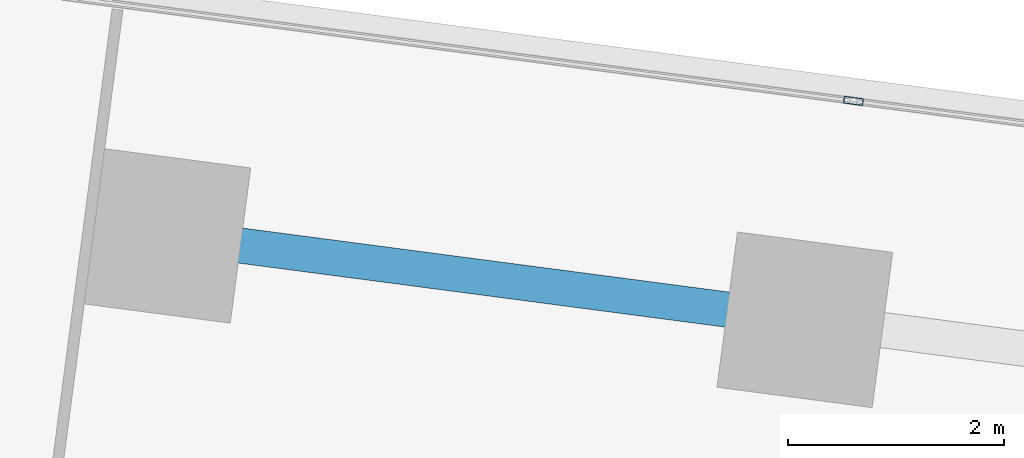
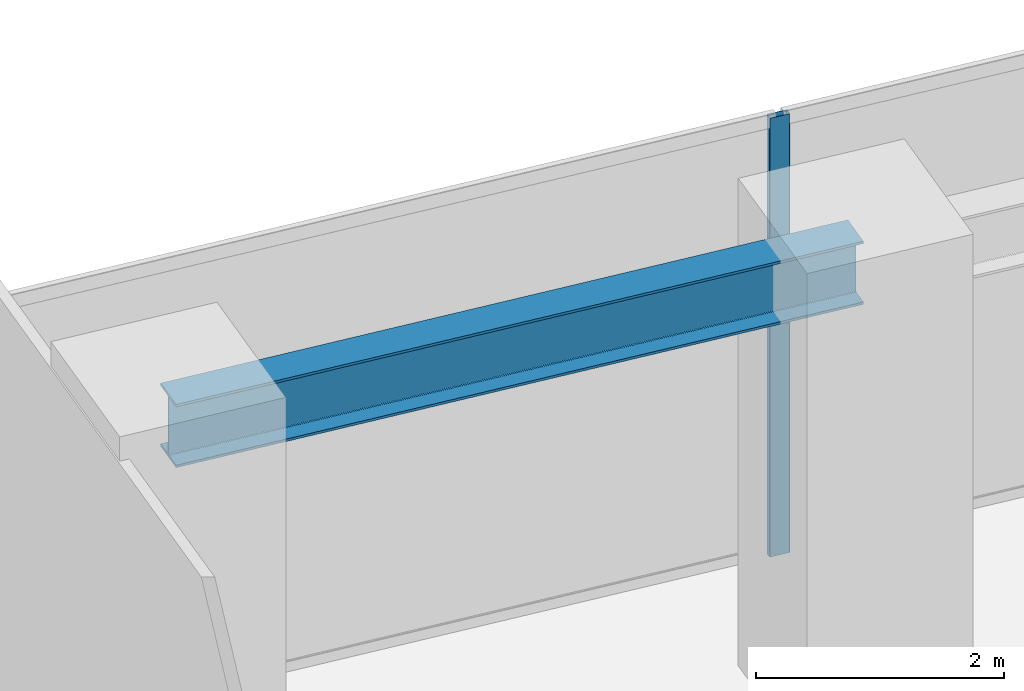
# One storey, part 12 of 24: 1 beam, 1 member, 1 element without a shape of its own.
"""IFC4 building model written with IfcOpenShell, lengths in metres."""

from ifc_helpers import new_model, si_unit, direction, frame, origin, origin_2d, place, context, subcontext, project, spatial, hollow_rectangle, i_section, extrude, source, transform, mapped, material, material_profile, profile_set, type_object, element, aggregate, save


model = new_model("IFC4")

# Units and contexts
model_context = context("Model", 3, precision=1e-05, world=origin(), true_north=direction((0.0, 1.0)))
body_context = subcontext(model_context, "Body", "Model", "MODEL_VIEW")
ifc_project = project(units=[si_unit("LENGTHUNIT", "METRE"), si_unit("AREAUNIT", "SQUARE_METRE"), si_unit("VOLUMEUNIT", "CUBIC_METRE"), si_unit("PLANEANGLEUNIT", "RADIAN"), si_unit("MASSUNIT", "GRAM", prefix="KILO")], contexts=[model_context])

# Site, building, storey
site_placement = place(None, origin())
site = spatial("IfcSite", under=ifc_project, at=site_placement, CompositionType="ELEMENT")
building_placement = place(site_placement, origin())
building = spatial("IfcBuilding", under=site, at=building_placement, Name="Torre Montelarca", CompositionType="ELEMENT")
storey_placement = place(building_placement, frame((0.0, 0.0, 61.60009765625)))
storey = spatial("IfcBuildingStorey", under=building, at=storey_placement, Name="L13", CompositionType="ELEMENT", Elevation=61.60009765625)

# Beam
ifc_material_1 = material(Name="Steel ASTM A992 Grade 50", Category="steel")
ifc_material_profile_1 = material_profile(ifc_material_1, i_section(OverallWidth=0.326904296875, OverallDepth=0.6220703125, WebThickness=0.015380859375, FlangeThickness=0.0244140625, FilletRadius=0.014892578125, at=origin_2d()), Name="W610X195", Category="steel")
ifc_profile_set_1 = profile_set([ifc_material_profile_1], Name="Steel ASTM A992 Grade 50")
beam_type = type_object("IfcBeamType", Name="BM-G-W610H", PredefinedType="BEAM", material=ifc_profile_set_1)
shared_shape_1 = source(origin(), body_context, "Body", "SweptSolid", [
    extrude(i_section(OverallWidth=0.326904296875, OverallDepth=0.6220703125, WebThickness=0.015380859375, FlangeThickness=0.0244140625, FilletRadius=0.014892578125, at=origin_2d()), origin(), (0.0, 0.0, 1.0), 5.999755859375),
])
beam_placement = place(storey_placement, frame((43.652099609375, 43.204345703125, 4.2490234375), z_axis=(0.991448616074, -0.130497669269, 0.0), x_axis=(0.130497669269, 0.991448616074, 0.0)))
element("IfcBeam", 1, at=beam_placement, inside=storey, type_object=beam_type, Name="L13 Grid Girder X 42.0-48.0 at Y=46.0", PredefinedType="BEAM", context=body_context, shape_type="MappedRepresentation", body=[
    mapped(shared_shape_1, transform((0.0, 0.0, 0.0), scale=1.0)),
])

# Curtain wall, member
ifc_material_2 = material(Name="Insulated low-E laminated glass", Category="glass")
curtain_wall_type = type_object("IfcCurtainWallType", Name="CW-SYS-Z1", PredefinedType="USERDEFINED", material=ifc_material_2)
curtain_wall_placement = place(storey_placement, origin())
curtain_wall = element("IfcCurtainWall", 2, at=curtain_wall_placement, inside=storey, type_object=curtain_wall_type, Name="L13 Curtain Wall Run CW-T3-L13-E08-B1", ObjectType="UNITISED GLAZING", PredefinedType="USERDEFINED")
ifc_material_3 = material(Name="Anodised aluminium AA 6063-T6", Category="aluminium")
ifc_material_profile_2 = material_profile(ifc_material_3, hollow_rectangle(XDim=0.06494140625, YDim=0.179931640625, WallThickness=0.00390625, InnerFilletRadius=0.00390625, OuterFilletRadius=0.008056640625, at=origin_2d()), Name="ALU65X180X4", Category="aluminium")
ifc_profile_set_2 = profile_set([ifc_material_profile_2], Name="Anodised aluminium AA 6063-T6")
member_type = type_object("IfcMemberType", Name="CWM-ALU180", PredefinedType="MULLION", material=ifc_profile_set_2)
shared_shape_2 = source(origin(), body_context, "Body", "SweptSolid", [
    extrude(hollow_rectangle(XDim=0.06494140625, YDim=0.179931640625, WallThickness=0.00390625, InnerFilletRadius=0.00390625, OuterFilletRadius=0.008056640625, at=origin_2d()), origin(), (0.0, 0.0, 1.0), 4.31982421875),
])
member_placement = place(storey_placement, frame((50.05126953125, 44.449951171875, 0.0), z_axis=(0.0, 0.0, 1.0), x_axis=(-0.130522739159, -0.991445315972, 0.0)))
member = element("IfcMember", 3, at=member_placement, type_object=member_type, Name="CW mullion 2", PredefinedType="MULLION", context=body_context, shape_type="MappedRepresentation", body=[
    mapped(shared_shape_2, transform((0.0, 0.0, 0.0), scale=1.0)),
])
aggregate(curtain_wall, [member])

save(model, "model.ifc")
